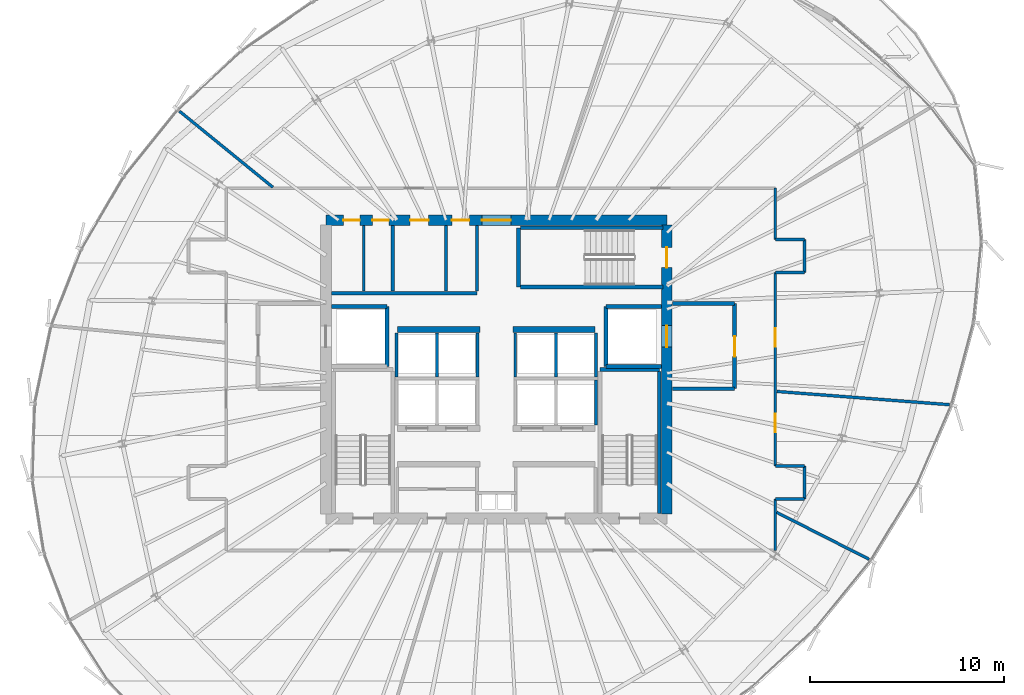
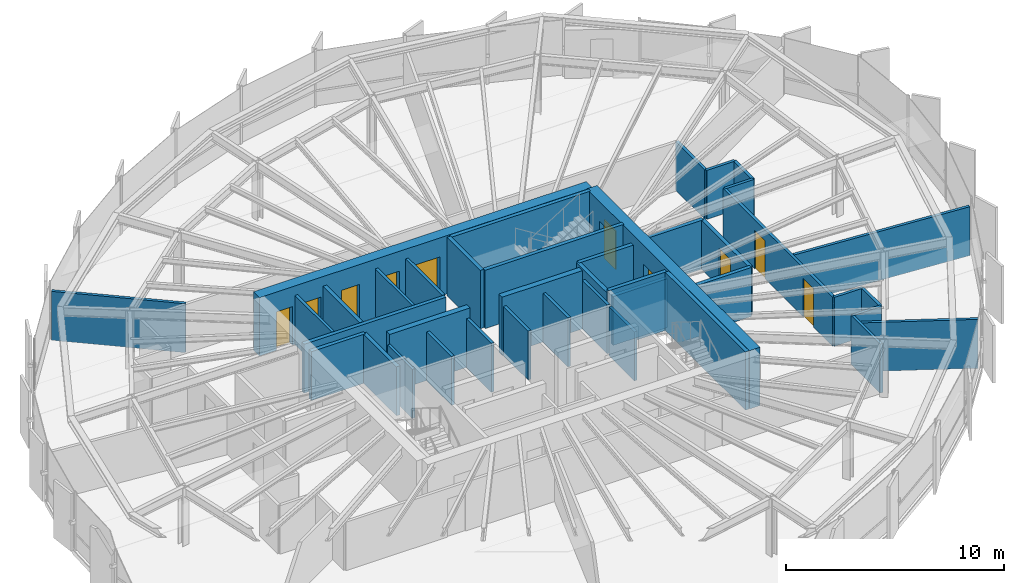
# One storey, part 30 of 34: 41 walls, 10 doors, 10 openings.
"""IFC4 building model written with IfcOpenShell, lengths in metres."""

from ifc_helpers import new_model, si_unit, direction, frame, frame_2d, origin, place, context, subcontext, project, spatial, rectangle, extrude, source, transform, mapped, material, layer, layer_set, type_object, element, fill, save


model = new_model("IFC4")

# Units and contexts
model_context = context("Model", 3, precision=1e-05, world=origin(), true_north=direction((0.0, 1.0)))
body_context = subcontext(model_context, "Body", "Model", "MODEL_VIEW")
ifc_project = project(units=[si_unit("LENGTHUNIT", "METRE"), si_unit("AREAUNIT", "SQUARE_METRE"), si_unit("VOLUMEUNIT", "CUBIC_METRE"), si_unit("PLANEANGLEUNIT", "RADIAN"), si_unit("MASSUNIT", "GRAM", prefix="KILO"), si_unit("THERMODYNAMICTEMPERATUREUNIT", "KELVIN")], contexts=[model_context])

# Site, building, storey
site_placement = place(None, origin())
site = spatial("IfcSite", under=ifc_project, at=site_placement, CompositionType="ELEMENT")
building_placement = place(site_placement, origin())
building = spatial("IfcBuilding", under=site, at=building_placement, Name="Kethvar Cultural Tower", CompositionType="ELEMENT")
storey_placement = place(building_placement, frame((0.0, 0.0, 190.39990234375)))
storey = spatial("IfcBuildingStorey", under=building, at=storey_placement, Name="L49", CompositionType="ELEMENT", Elevation=190.39990234375)

# Wall, openings, doors
ifc_material_1 = material(Name="Concrete C60/75", Category="concrete")
ifc_layer_1 = layer(ifc_material_1, 0.550048828125, Name="Concrete C60/75", Category="concrete")
ifc_layer_set_1 = layer_set([ifc_layer_1], Name="Concrete C60/75 (550 mm)")
wall_type_1 = type_object("IfcWallType", Name="WL-CORE-550", PredefinedType="SHEAR", material=ifc_layer_set_1)
wall_1_placement = place(storey_placement, frame((55.60009765625, 35.5, 0.0), z_axis=(0.0, 0.0, 1.0), x_axis=(-1.0, 0.0, 0.0)))
wall_1 = element("IfcWall", 1, at=wall_1_placement, inside=storey, type_object=wall_type_1, Name="L49 Core Shear Wall N", PredefinedType="SHEAR", context=body_context, shape_type="SweptSolid", body=[
    extrude(rectangle(XDim=17.60009765625, YDim=0.550048828125, at=frame_2d((8.800048828125, 0.0))), origin(), (0.0, 0.0, 1.0), 3.260009765625),
])
opening_1_placement = place(wall_1_placement, frame((8.050048828125, 0.0, 0.0)))
opening_1 = element("IfcOpeningElement", 2, at=opening_1_placement, cuts=wall_1, Name="Opening D-L49-LN", PredefinedType="OPENING", context=body_context, shape_type="SweptSolid", body=[
    extrude(rectangle(XDim=1.5, YDim=2.199951171875, at=frame_2d((0.75, 1.10009765625))), frame((0.0, 0.284912109375, 0.0), z_axis=(0.0, -1.0, 0.0), x_axis=(1.0, 0.0, 0.0)), (0.0, 0.0, 1.0), 0.570068359375),
])
opening_2_placement = place(wall_1_placement, frame((15.85009765625, 0.0, 0.0)))
opening_2 = element("IfcOpeningElement", 3, at=opening_2_placement, cuts=wall_1, Name="Opening D-L49-E1", PredefinedType="OPENING", context=body_context, shape_type="SweptSolid", body=[
    extrude(rectangle(XDim=0.85009765625, YDim=2.14990234375, at=frame_2d((0.425048828125, 1.074951171875))), frame((0.0, 0.284912109375, 0.0), z_axis=(0.0, -1.0, 0.0), x_axis=(1.0, 0.0, 0.0)), (0.0, 0.0, 1.0), 0.570068359375),
])
opening_3_placement = place(wall_1_placement, frame((14.35009765625, 0.0, 0.0)))
opening_3 = element("IfcOpeningElement", 4, at=opening_3_placement, cuts=wall_1, Name="Opening D-L49-E2", PredefinedType="OPENING", context=body_context, shape_type="SweptSolid", body=[
    extrude(rectangle(XDim=0.85009765625, YDim=2.14990234375, at=frame_2d((0.425048828125, 1.074951171875))), frame((0.0, 0.284912109375, 0.0), z_axis=(0.0, -1.0, 0.0), x_axis=(1.0, 0.0, 0.0)), (0.0, 0.0, 1.0), 0.570068359375),
])
opening_4_placement = place(wall_1_placement, frame((12.300048828125, 0.0, 0.0)))
opening_4 = element("IfcOpeningElement", 5, at=opening_4_placement, cuts=wall_1, Name="Opening D-L49-W1", PredefinedType="OPENING", context=body_context, shape_type="SweptSolid", body=[
    extrude(rectangle(XDim=0.949951171875, YDim=2.14990234375, at=frame_2d((0.47509765625, 1.074951171875))), frame((0.0, 0.284912109375, 0.0), z_axis=(0.0, -1.0, 0.0), x_axis=(1.0, 0.0, 0.0)), (0.0, 0.0, 1.0), 0.570068359375),
])
opening_5_placement = place(wall_1_placement, frame((10.199951171875, 0.0, 0.0)))
opening_5 = element("IfcOpeningElement", 6, at=opening_5_placement, cuts=wall_1, Name="Opening D-L49-W2", PredefinedType="OPENING", context=body_context, shape_type="SweptSolid", body=[
    extrude(rectangle(XDim=0.89990234375, YDim=2.14990234375, at=frame_2d((0.449951171875, 1.074951171875))), frame((0.0, 0.284912109375, 0.0), z_axis=(0.0, -1.0, 0.0), x_axis=(1.0, 0.0, 0.0)), (0.0, 0.0, 1.0), 0.570068359375),
])
ifc_material_2 = material(Name="Architectural Oak Timber", Category="wood")
door_type_1 = type_object("IfcDoorType", Name="DR-DBL-FD60-1500", OperationType="DOUBLE_DOOR_SINGLE_SWING", PredefinedType="DOOR", material=ifc_material_2)
shared_shape_1 = source(origin(), body_context, "Body", "SweptSolid", [
    extrude(rectangle(XDim=1.5, YDim=2.199951171875, at=frame_2d((0.75, 1.10009765625))), frame((0.0, 0.02490234375, 0.0), z_axis=(0.0, -1.0, 0.0), x_axis=(1.0, 0.0, 0.0)), (0.0, 0.0, 1.0), 0.050048828125),
])
door_1_placement = place(opening_1_placement, origin())
door_1 = element("IfcDoor", 7, at=door_1_placement, inside=storey, type_object=door_type_1, Name="L49 Lift Lobby Concourse Door", OperationType="DOUBLE_DOOR_SINGLE_SWING", OverallHeight=2.199951171875, OverallWidth=1.5, PredefinedType="DOOR", context=body_context, shape_type="MappedRepresentation", body=[
    mapped(shared_shape_1, transform((0.0, 0.0, 0.0), scale=1.0)),
])
fill(opening_1, door_1)
door_type_2 = type_object("IfcDoorType", Name="DR-FD30-950", OperationType="NOTDEFINED", PredefinedType="DOOR", material=ifc_material_2)
shared_shape_2 = source(origin(), body_context, "Body", "SweptSolid", [
    extrude(rectangle(XDim=0.949951171875, YDim=2.14990234375, at=frame_2d((0.47509765625, 1.074951171875))), frame((0.0, 0.02490234375, 0.0), z_axis=(0.0, -1.0, 0.0), x_axis=(1.0, 0.0, 0.0)), (0.0, 0.0, 1.0), 0.050048828125),
])
door_2_placement = place(opening_4_placement, origin())
door_2 = element("IfcDoor", 8, at=door_2_placement, inside=storey, type_object=door_type_2, Name="L49 Public Washroom Door", OperationType="SINGLE_SWING_LEFT", OverallHeight=2.14990234375, OverallWidth=0.949951171875, PredefinedType="DOOR", context=body_context, shape_type="MappedRepresentation", body=[
    mapped(shared_shape_2, transform((0.0, 0.0, 0.0), scale=1.0)),
])
fill(opening_4, door_2)
door_type_3 = type_object("IfcDoorType", Name="DR-FD30-900", OperationType="NOTDEFINED", PredefinedType="DOOR", material=ifc_material_2)
shared_shape_3 = source(origin(), body_context, "Body", "SweptSolid", [
    extrude(rectangle(XDim=0.89990234375, YDim=2.14990234375, at=frame_2d((0.449951171875, 1.074951171875))), frame((0.0, 0.02490234375, 0.0), z_axis=(0.0, -1.0, 0.0), x_axis=(1.0, 0.0, 0.0)), (0.0, 0.0, 1.0), 0.050048828125),
])
door_3_placement = place(opening_5_placement, origin())
door_3 = element("IfcDoor", 9, at=door_3_placement, inside=storey, type_object=door_type_3, Name="L49 Accessible Washroom Door", OperationType="SINGLE_SWING_RIGHT", OverallHeight=2.14990234375, OverallWidth=0.89990234375, PredefinedType="DOOR", context=body_context, shape_type="MappedRepresentation", body=[
    mapped(shared_shape_3, transform((0.0, 0.0, 0.0), scale=1.0)),
])
fill(opening_5, door_3)
ifc_material_3 = material(Name="Steel S355J2", Category="steel")
door_type_4 = type_object("IfcDoorType", Name="DR-FD30-850", OperationType="NOTDEFINED", PredefinedType="DOOR", material=ifc_material_3)
shared_shape_4 = source(origin(), body_context, "Body", "SweptSolid", [
    extrude(rectangle(XDim=0.85009765625, YDim=2.14990234375, at=frame_2d((0.425048828125, 1.074951171875))), frame((0.0, 0.02490234375, 0.0), z_axis=(0.0, -1.0, 0.0), x_axis=(1.0, 0.0, 0.0)), (0.0, 0.0, 1.0), 0.050048828125),
])
door_4_placement = place(opening_2_placement, origin())
door_4 = element("IfcDoor", 10, at=door_4_placement, inside=storey, type_object=door_type_4, Name="L49 Electrical Riser Door", OperationType="SINGLE_SWING_LEFT", OverallHeight=2.14990234375, OverallWidth=0.85009765625, PredefinedType="DOOR", context=body_context, shape_type="MappedRepresentation", body=[
    mapped(shared_shape_4, transform((0.0, 0.0, 0.0), scale=1.0)),
])
fill(opening_2, door_4)
door_5_placement = place(opening_3_placement, origin())
door_5 = element("IfcDoor", 11, at=door_5_placement, inside=storey, type_object=door_type_4, Name="L49 Chilled Water Riser Door", OperationType="SINGLE_SWING_RIGHT", OverallHeight=2.14990234375, OverallWidth=0.85009765625, PredefinedType="DOOR", context=body_context, shape_type="MappedRepresentation", body=[
    mapped(shared_shape_4, transform((0.0, 0.0, 0.0), scale=1.0)),
])
fill(opening_3, door_5)

wall_2_placement = place(storey_placement, frame((55.60009765625, 20.340087890625, 0.0), z_axis=(0.0, 0.0, 1.0), x_axis=(0.0, 1.0, 0.0)))
wall_2 = element("IfcWall", 12, at=wall_2_placement, inside=storey, type_object=wall_type_1, Name="L49 Core Shear Wall E", PredefinedType="SHEAR", context=body_context, shape_type="SweptSolid", body=[
    extrude(rectangle(XDim=14.919921875, YDim=0.550048828125, at=frame_2d((7.4599609375, 0.0))), origin(), (0.0, 0.0, 1.0), 3.260009765625),
])
opening_6_placement = place(wall_2_placement, frame((12.7099609375, 0.0, 0.0)))
opening_6 = element("IfcOpeningElement", 13, at=opening_6_placement, cuts=wall_2, Name="Opening D-L49-S3", PredefinedType="OPENING", context=body_context, shape_type="SweptSolid", body=[
    extrude(rectangle(XDim=1.050048828125, YDim=2.14990234375, at=frame_2d((0.52490234375, 1.074951171875))), frame((0.0, 0.284912109375, 0.0), z_axis=(0.0, -1.0, 0.0), x_axis=(1.0, 0.0, 0.0)), (0.0, 0.0, 1.0), 0.570068359375),
])
opening_7_placement = place(wall_2_placement, frame((8.610107421875, 0.0, 0.0)))
opening_7 = element("IfcOpeningElement", 14, at=opening_7_placement, cuts=wall_2, Name="Opening LD-2", PredefinedType="OPENING", context=body_context, shape_type="SweptSolid", body=[
    extrude(rectangle(XDim=1.10009765625, YDim=2.199951171875, at=frame_2d((0.550048828125, 1.10009765625))), frame((0.0, 0.284912109375, 0.0), z_axis=(0.0, -1.0, 0.0), x_axis=(1.0, 0.0, 0.0)), (0.0, 0.0, 1.0), 0.570068359375),
])
door_type_5 = type_object("IfcDoorType", Name="DR-FD60-1050", OperationType="NOTDEFINED", PredefinedType="DOOR", material=ifc_material_3)
shared_shape_5 = source(origin(), body_context, "Body", "SweptSolid", [
    extrude(rectangle(XDim=1.050048828125, YDim=2.14990234375, at=frame_2d((0.52490234375, 1.074951171875))), frame((0.0, 0.02490234375, 0.0), z_axis=(0.0, -1.0, 0.0), x_axis=(1.0, 0.0, 0.0)), (0.0, 0.0, 1.0), 0.050048828125),
])
door_6_placement = place(opening_6_placement, origin())
door_6 = element("IfcDoor", 15, at=door_6_placement, inside=storey, type_object=door_type_5, Name="L49 Exit Stair 3 Door", OperationType="SINGLE_SWING_LEFT", OverallHeight=2.14990234375, OverallWidth=1.050048828125, PredefinedType="DOOR", context=body_context, shape_type="MappedRepresentation", body=[
    mapped(shared_shape_5, transform((0.0, 0.0, 0.0), scale=1.0)),
])
fill(opening_6, door_6)
door_type_6 = type_object("IfcDoorType", Name="DR-LIFT-SLIDE-1100", OperationType="NOTDEFINED", PredefinedType="DOOR", material=ifc_material_3)
shared_shape_6 = source(origin(), body_context, "Body", "SweptSolid", [
    extrude(rectangle(XDim=1.10009765625, YDim=2.199951171875, at=frame_2d((0.550048828125, 1.10009765625))), frame((0.0, 0.02490234375, 0.0), z_axis=(0.0, -1.0, 0.0), x_axis=(1.0, 0.0, 0.0)), (0.0, 0.0, 1.0), 0.050048828125),
])
door_7_placement = place(opening_7_placement, origin())
door_7 = element("IfcDoor", 16, at=door_7_placement, inside=storey, type_object=door_type_6, Name="L49 Firefighting Lift Landing Door FFL-02", OperationType="SLIDING_TO_RIGHT", OverallHeight=2.199951171875, OverallWidth=1.10009765625, PredefinedType="DOOR", context=body_context, shape_type="MappedRepresentation", body=[
    mapped(shared_shape_6, transform((0.0, 0.0, 0.0), scale=1.0)),
])
fill(opening_7, door_7)

# Walls
ifc_material_4 = material(Name="Gypsum Fireboard Partition")
ifc_layer_2 = layer(ifc_material_4, 0.14990234375, Name="Gypsum Fireboard Partition")
ifc_layer_set_2 = layer_set([ifc_layer_2], Name="Gypsum Fireboard Partition (150 mm)")
wall_type_2 = type_object("IfcWallType", Name="WL-FIRE-150", PredefinedType="PARTITIONING", material=ifc_layer_set_2)
wall_3_placement = place(storey_placement, frame((51.949951171875, 24.919921875, 0.0), z_axis=(0.0, 0.0, 1.0), x_axis=(0.0, 1.0, 0.0)))
element("IfcWall", 17, at=wall_3_placement, inside=storey, type_object=wall_type_2, Name="L49 Mid-Rise Lift Shaft Outer Wall E", PredefinedType="PARTITIONING", context=body_context, shape_type="SweptSolid", body=[
    extrude(rectangle(XDim=2.320068359375, YDim=0.14990234375, at=frame_2d((1.16015625, 0.0))), origin(), (0.0, 0.0, 1.0), 2.735107421875),
])
for number, where, z_axis, x_axis, name in (
    (18, (41.64990234375, 27.409912109375, 0.0), (0.0, 0.0, 1.0), (0.0, 1.0, 0.0), "L49 High-Rise Lift Shaft Outer Wall W"),
    (19, (43.72509765625, 27.409912109375, 0.0), (0.0, 0.0, 1.0), (0.0, 1.0, 0.0), "L49 High-Rise Lift Shaft Divider W"),
    (20, (45.824951171875, 27.409912109375, 0.0), (0.0, 0.0, 1.0), (0.0, 1.0, 0.0), "L49 High-Rise Lift Shaft Concourse Wall W"),
    (21, (47.77490234375, 27.409912109375, 0.0), (0.0, 0.0, 1.0), (0.0, 1.0, 0.0), "L49 High-Rise Lift Shaft Concourse Wall E"),
    (22, (49.875, 27.409912109375, 0.0), (0.0, 0.0, 1.0), (0.0, 1.0, 0.0), "L49 High-Rise Lift Shaft Divider E"),
    (23, (51.949951171875, 27.409912109375, 0.0), (0.0, 0.0, 1.0), (0.0, 1.0, 0.0), "L49 High-Rise Lift Shaft Outer Wall E"),
):
    element("IfcWall", number, at=place(storey_placement, frame(where, z_axis=z_axis, x_axis=x_axis)), inside=storey, type_object=wall_type_2, Name=name, PredefinedType="PARTITIONING", context=body_context, shape_type="SweptSolid", body=[
        extrude(rectangle(XDim=2.27001953125, YDim=0.14990234375, at=frame_2d((1.135009765625, 0.0))), origin(), (0.0, 0.0, 1.0), 2.735107421875),
    ])
for number, where, z_axis, x_axis, name in (
    (24, (45.800048828125, 31.85009765625, 0.0), (0.0, 0.0, 1.0), (0.0, 1.0, 0.0), "L49 Sanitary Spine Wall"),
    (25, (39.949951171875, 31.85009765625, 0.0), (0.0, 0.0, 1.0), (0.0, 1.0, 0.0), "L49 NW Riser Divider"),
):
    element("IfcWall", number, at=place(storey_placement, frame(where, z_axis=z_axis, x_axis=x_axis)), inside=storey, type_object=wall_type_2, Name=name, PredefinedType="PARTITIONING", context=body_context, shape_type="SweptSolid", body=[
        extrude(rectangle(XDim=3.364990234375, YDim=0.14990234375, at=frame_2d((1.6826171875, 0.0))), origin(), (0.0, 0.0, 1.0), 2.735107421875),
    ])
wall_4_placement = place(storey_placement, frame((61.199951171875, 18.449951171875, 0.0), z_axis=(0.0, 0.0, 1.0), x_axis=(0.0, 1.0, 0.0)))
element("IfcWall", 26, at=wall_4_placement, inside=storey, type_object=wall_type_2, Name="L49 Corridor Rated Wall E1", PredefinedType="PARTITIONING", context=body_context, shape_type="SweptSolid", body=[
    extrude(rectangle(XDim=2.650146484375, YDim=0.14990234375, at=frame_2d((1.3251953125, 0.0))), origin(), (0.0, 0.0, 1.0), 2.735107421875),
])
wall_5_placement = place(storey_placement, frame((61.199951171875, 21.10009765625, 0.0), z_axis=(0.0, 0.0, 1.0), x_axis=(1.0, 0.0, 0.0)))
element("IfcWall", 27, at=wall_5_placement, inside=storey, type_object=wall_type_2, Name="L49 Corridor Rated Wall ESB", PredefinedType="PARTITIONING", context=body_context, shape_type="SweptSolid", body=[
    extrude(rectangle(XDim=1.5, YDim=0.14990234375, at=frame_2d((0.75, 0.0))), origin(), (0.0, 0.0, 1.0), 2.735107421875),
])
wall_6_placement = place(storey_placement, frame((62.699951171875, 21.10009765625, 0.0), z_axis=(0.0, 0.0, 1.0), x_axis=(0.0, 1.0, 0.0)))
element("IfcWall", 28, at=wall_6_placement, inside=storey, type_object=wall_type_2, Name="L49 Corridor Rated Wall ES", PredefinedType="PARTITIONING", context=body_context, shape_type="SweptSolid", body=[
    extrude(rectangle(XDim=1.699951171875, YDim=0.14990234375, at=frame_2d((0.85009765625, 0.0))), origin(), (0.0, 0.0, 1.0), 2.735107421875),
])
wall_7_placement = place(storey_placement, frame((62.699951171875, 22.800048828125, 0.0), z_axis=(0.0, 0.0, 1.0), x_axis=(-1.0, 0.0, 0.0)))
element("IfcWall", 29, at=wall_7_placement, inside=storey, type_object=wall_type_2, Name="L49 Corridor Rated Wall EST", PredefinedType="PARTITIONING", context=body_context, shape_type="SweptSolid", body=[
    extrude(rectangle(XDim=1.5, YDim=0.14990234375, at=frame_2d((0.75, 0.0))), origin(), (0.0, 0.0, 1.0), 2.735107421875),
])

# Wall, openings, doors
wall_8_placement = place(storey_placement, frame((61.199951171875, 22.800048828125, 0.0), z_axis=(0.0, 0.0, 1.0), x_axis=(0.0, 1.0, 0.0)))
wall_8 = element("IfcWall", 30, at=wall_8_placement, inside=storey, type_object=wall_type_2, Name="L49 Corridor Rated Wall EM", PredefinedType="PARTITIONING", context=body_context, shape_type="SweptSolid", body=[
    extrude(rectangle(XDim=10.0, YDim=0.14990234375, at=frame_2d((5.0, 0.0))), origin(), (0.0, 0.0, 1.0), 2.735107421875),
])
opening_8_placement = place(wall_8_placement, frame((1.746826171875, 0.0, 0.0)))
opening_8 = element("IfcOpeningElement", 31, at=opening_8_placement, cuts=wall_8, Name="Opening D-L49-03", PredefinedType="OPENING", context=body_context, shape_type="SweptSolid", body=[
    extrude(rectangle(XDim=0.949951171875, YDim=2.14990234375, at=frame_2d((0.47509765625, 1.074951171875))), frame((0.0, 0.0849609375, 0.0), z_axis=(0.0, -1.0, 0.0), x_axis=(1.0, 0.0, 0.0)), (0.0, 0.0, 1.0), 0.169921875),
])
opening_9_placement = place(wall_8_placement, frame((6.16650390625, 0.0, 0.0)))
opening_9 = element("IfcOpeningElement", 32, at=opening_9_placement, cuts=wall_8, Name="Opening D-L49-04", PredefinedType="OPENING", context=body_context, shape_type="SweptSolid", body=[
    extrude(rectangle(XDim=0.949951171875, YDim=2.14990234375, at=frame_2d((0.47509765625, 1.074951171875))), frame((0.0, 0.0849609375, 0.0), z_axis=(0.0, -1.0, 0.0), x_axis=(1.0, 0.0, 0.0)), (0.0, 0.0, 1.0), 0.169921875),
])
door_8_placement = place(opening_8_placement, origin())
door_8 = element("IfcDoor", 33, at=door_8_placement, inside=storey, type_object=door_type_2, Name="L49 Decorative Arts Craft Workshop 03 Door", OperationType="SINGLE_SWING_RIGHT", OverallHeight=2.14990234375, OverallWidth=0.949951171875, PredefinedType="DOOR", context=body_context, shape_type="MappedRepresentation", body=[
    mapped(shared_shape_2, transform((0.0, 0.0, 0.0), scale=1.0)),
])
fill(opening_8, door_8)
door_9_placement = place(opening_9_placement, origin())
door_9 = element("IfcDoor", 34, at=door_9_placement, inside=storey, type_object=door_type_2, Name="L49 Curatorial Conference Room 04 Door", OperationType="SINGLE_SWING_LEFT", OverallHeight=2.14990234375, OverallWidth=0.949951171875, PredefinedType="DOOR", context=body_context, shape_type="MappedRepresentation", body=[
    mapped(shared_shape_2, transform((0.0, 0.0, 0.0), scale=1.0)),
])
fill(opening_9, door_9)

# Walls
wall_9_placement = place(storey_placement, frame((61.199951171875, 32.800048828125, 0.0), z_axis=(0.0, 0.0, 1.0), x_axis=(1.0, 0.0, 0.0)))
element("IfcWall", 35, at=wall_9_placement, inside=storey, type_object=wall_type_2, Name="L49 Corridor Rated Wall ENB", PredefinedType="PARTITIONING", context=body_context, shape_type="SweptSolid", body=[
    extrude(rectangle(XDim=1.5, YDim=0.14990234375, at=frame_2d((0.75, 0.0))), origin(), (0.0, 0.0, 1.0), 2.735107421875),
])
wall_10_placement = place(storey_placement, frame((62.699951171875, 32.800048828125, 0.0), z_axis=(0.0, 0.0, 1.0), x_axis=(0.0, 1.0, 0.0)))
element("IfcWall", 36, at=wall_10_placement, inside=storey, type_object=wall_type_2, Name="L49 Corridor Rated Wall EN", PredefinedType="PARTITIONING", context=body_context, shape_type="SweptSolid", body=[
    extrude(rectangle(XDim=1.699951171875, YDim=0.14990234375, at=frame_2d((0.85009765625, 0.0))), origin(), (0.0, 0.0, 1.0), 2.735107421875),
])
wall_11_placement = place(storey_placement, frame((62.699951171875, 34.5, 0.0), z_axis=(0.0, 0.0, 1.0), x_axis=(-1.0, 0.0, 0.0)))
element("IfcWall", 37, at=wall_11_placement, inside=storey, type_object=wall_type_2, Name="L49 Corridor Rated Wall ENT", PredefinedType="PARTITIONING", context=body_context, shape_type="SweptSolid", body=[
    extrude(rectangle(XDim=1.5, YDim=0.14990234375, at=frame_2d((0.75, 0.0))), origin(), (0.0, 0.0, 1.0), 2.735107421875),
])
wall_12_placement = place(storey_placement, frame((61.199951171875, 34.5, 0.0), z_axis=(0.0, 0.0, 1.0), x_axis=(0.0, 1.0, 0.0)))
element("IfcWall", 38, at=wall_12_placement, inside=storey, type_object=wall_type_2, Name="L49 Corridor Rated Wall E2", PredefinedType="PARTITIONING", context=body_context, shape_type="SweptSolid", body=[
    extrude(rectangle(XDim=2.64990234375, YDim=0.14990234375, at=frame_2d((1.324951171875, 0.0))), origin(), (0.0, 0.0, 1.0), 2.735107421875),
])
ifc_material_5 = material(Name="Concrete C40/50", Category="concrete")
ifc_layer_3 = layer(ifc_material_5, 0.199951171875, Name="Concrete C40/50", Category="concrete")
ifc_layer_set_3 = layer_set([ifc_layer_3], Name="Concrete C40/50 (200 mm)")
wall_type_3 = type_object("IfcWallType", Name="WL-FIRE-200", PredefinedType="PARTITIONING", material=ifc_layer_set_3)
wall_13_placement = place(storey_placement, frame((41.14990234375, 27.949951171875, 0.0), z_axis=(0.0, 0.0, 1.0), x_axis=(0.0, 1.0, 0.0)))
element("IfcWall", 39, at=wall_13_placement, inside=storey, type_object=wall_type_3, Name="L49 FFL-01 Shaft Inner Wall", PredefinedType="PARTITIONING", context=body_context, shape_type="SweptSolid", body=[
    extrude(rectangle(XDim=3.10009765625, YDim=0.199951171875, at=frame_2d((1.550048828125, 0.0))), origin(), (0.0, 0.0, 1.0), 2.735107421875),
])
wall_14_placement = place(storey_placement, frame((38.284912109375, 31.050048828125, 0.0), z_axis=(0.0, 0.0, 1.0), x_axis=(1.0, 0.0, 0.0)))
element("IfcWall", 40, at=wall_14_placement, inside=storey, type_object=wall_type_3, Name="L49 FFL-01 Shaft North Wall", PredefinedType="PARTITIONING", context=body_context, shape_type="SweptSolid", body=[
    extrude(rectangle(XDim=2.864990234375, YDim=0.199951171875, at=frame_2d((1.4326171875, 0.0))), origin(), (0.0, 0.0, 1.0), 2.735107421875),
])
wall_15_placement = place(storey_placement, frame((52.449951171875, 27.949951171875, 0.0), z_axis=(0.0, 0.0, 1.0), x_axis=(0.0, 1.0, 0.0)))
element("IfcWall", 41, at=wall_15_placement, inside=storey, type_object=wall_type_3, Name="L49 FFL-02 Shaft Inner Wall", PredefinedType="PARTITIONING", context=body_context, shape_type="SweptSolid", body=[
    extrude(rectangle(XDim=3.10009765625, YDim=0.199951171875, at=frame_2d((1.550048828125, 0.0))), origin(), (0.0, 0.0, 1.0), 2.735107421875),
])
for number, where, z_axis, x_axis, name in (
    (42, (52.449951171875, 27.949951171875, 0.0), (0.0, 0.0, 1.0), (1.0, 0.0, 0.0), "L49 FFL-02 Shaft South Wall"),
    (43, (52.449951171875, 31.050048828125, 0.0), (0.0, 0.0, 1.0), (1.0, 0.0, 0.0), "L49 FFL-02 Shaft North Wall"),
):
    element("IfcWall", number, at=place(storey_placement, frame(where, z_axis=z_axis, x_axis=x_axis)), inside=storey, type_object=wall_type_3, Name=name, PredefinedType="PARTITIONING", context=body_context, shape_type="SweptSolid", body=[
        extrude(rectangle(XDim=2.864990234375, YDim=0.199951171875, at=frame_2d((1.4326171875, 0.0))), origin(), (0.0, 0.0, 1.0), 2.735107421875),
    ])

# Wall, opening, door
wall_16_placement = place(storey_placement, frame((59.10009765625, 26.800048828125, 0.0), z_axis=(0.0, 0.0, 1.0), x_axis=(0.0, 1.0, 0.0)))
wall_16 = element("IfcWall", 44, at=wall_16_placement, inside=storey, type_object=wall_type_3, Name="L49 Firefighting Lobby 2 Wall", PredefinedType="PARTITIONING", context=body_context, shape_type="SweptSolid", body=[
    extrude(rectangle(XDim=4.39990234375, YDim=0.199951171875, at=frame_2d((2.199951171875, 0.0))), origin(), (0.0, 0.0, 1.0), 2.735107421875),
])
opening_10_placement = place(wall_16_placement, frame((1.64990234375, 0.0, 0.0)))
opening_10 = element("IfcOpeningElement", 45, at=opening_10_placement, cuts=wall_16, Name="Opening D-L49-F2", PredefinedType="OPENING", context=body_context, shape_type="SweptSolid", body=[
    extrude(rectangle(XDim=1.050048828125, YDim=2.14990234375, at=frame_2d((0.52490234375, 1.074951171875))), frame((0.0, 0.10986328125, 0.0), z_axis=(0.0, -1.0, 0.0), x_axis=(1.0, 0.0, 0.0)), (0.0, 0.0, 1.0), 0.219970703125),
])
door_10_placement = place(opening_10_placement, origin())
door_10 = element("IfcDoor", 46, at=door_10_placement, inside=storey, type_object=door_type_5, Name="L49 Firefighting Lobby 2 Fire Door", OperationType="SINGLE_SWING_LEFT", OverallHeight=2.14990234375, OverallWidth=1.050048828125, PredefinedType="DOOR", context=body_context, shape_type="MappedRepresentation", body=[
    mapped(shared_shape_5, transform((0.0, 0.0, 0.0), scale=1.0)),
])
fill(opening_10, door_10)

# Walls
for number, where, z_axis, x_axis, name in (
    (47, (55.885009765625, 26.800048828125, 0.0), (0.0, 0.0, 1.0), (1.0, 0.0, 0.0), "L49 FF Lobby 2 South Wall"),
    (48, (55.885009765625, 31.199951171875, 0.0), (0.0, 0.0, 1.0), (1.0, 0.0, 0.0), "L49 FF Lobby 2 North Wall"),
):
    element("IfcWall", number, at=place(storey_placement, frame(where, z_axis=z_axis, x_axis=x_axis)), inside=storey, type_object=wall_type_3, Name=name, PredefinedType="PARTITIONING", context=body_context, shape_type="SweptSolid", body=[
        extrude(rectangle(XDim=3.215087890625, YDim=0.199951171875, at=frame_2d((1.607421875, 0.0))), origin(), (0.0, 0.0, 1.0), 2.735107421875),
    ])
wall_17_placement = place(storey_placement, frame((41.449951171875, 31.85009765625, 0.0), z_axis=(0.0, 0.0, 1.0), x_axis=(0.0, 1.0, 0.0)))
element("IfcWall", 49, at=wall_17_placement, inside=storey, type_object=wall_type_3, Name="L49 NW Core Pocket Wall", PredefinedType="PARTITIONING", context=body_context, shape_type="SweptSolid", body=[
    extrude(rectangle(XDim=3.364990234375, YDim=0.199951171875, at=frame_2d((1.6826171875, 0.0))), origin(), (0.0, 0.0, 1.0), 2.735107421875),
])
wall_18_placement = place(storey_placement, frame((38.284912109375, 31.72998046875, 0.0), z_axis=(0.0, 0.0, 1.0), x_axis=(1.0, 0.0, 0.0)))
element("IfcWall", 50, at=wall_18_placement, inside=storey, type_object=wall_type_3, Name="L49 North Core Sanitary South Wall", PredefinedType="PARTITIONING", context=body_context, shape_type="SweptSolid", body=[
    extrude(rectangle(XDim=7.51513671875, YDim=0.199951171875, at=frame_2d((3.757568359375, 0.0))), origin(), (0.0, 0.0, 1.0), 2.735107421875),
])
ifc_material_6 = material(Name="Gypsum Acoustic Partition")
ifc_layer_4 = layer(ifc_material_6, 0.14990234375, Name="Gypsum Acoustic Partition")
ifc_layer_set_4 = layer_set([ifc_layer_4], Name="Gypsum Acoustic Partition (150 mm)")
wall_type_4 = type_object("IfcWallType", Name="WL-PART-150", PredefinedType="PARTITIONING", material=ifc_layer_set_4)
wall_19_placement = place(storey_placement, frame((61.271240234375, 20.416748046875, 0.0), z_axis=(0.0, 0.0, 1.0), x_axis=(0.891443209294, -0.453132436054, 0.0)))
element("IfcWall", 51, at=wall_19_placement, inside=storey, type_object=wall_type_4, Name="L49 Radial Partition Wall 03", PredefinedType="PARTITIONING", context=body_context, shape_type="SweptSolid", body=[
    extrude(rectangle(XDim=5.353271484375, YDim=0.14990234375, at=frame_2d((2.6767578125, 0.0))), origin(), (0.0, 0.0, 1.0), 2.735107421875),
])
wall_20_placement = place(storey_placement, frame((61.27978515625, 26.65771484375, 0.0), z_axis=(0.0, 0.0, 1.0), x_axis=(0.997071171595, -0.07647927023, 0.0)))
element("IfcWall", 52, at=wall_20_placement, inside=storey, type_object=wall_type_4, Name="L49 Radial Partition Wall 04", PredefinedType="PARTITIONING", context=body_context, shape_type="SweptSolid", body=[
    extrude(rectangle(XDim=8.938232421875, YDim=0.14990234375, at=frame_2d((4.46923828125, 0.0))), origin(), (0.0, 0.0, 1.0), 2.735107421875),
])
wall_21_placement = place(storey_placement, frame((35.2578125, 37.200439453125, 0.0), z_axis=(0.0, 0.0, 1.0), x_axis=(-0.775328994429, 0.631557559054, 0.0)))
element("IfcWall", 53, at=wall_21_placement, inside=storey, type_object=wall_type_4, Name="L49 Radial Partition Wall 07", PredefinedType="PARTITIONING", context=body_context, shape_type="SweptSolid", body=[
    extrude(rectangle(XDim=6.216796875, YDim=0.14990234375, at=frame_2d((3.1083984375, 0.0))), origin(), (0.0, 0.0, 1.0), 2.735107421875),
])
ifc_material_7 = material(Name="Moisture-Resistant Sanitary Chase Wall")
ifc_layer_5 = layer(ifc_material_7, 0.14990234375, Name="Moisture-Resistant Sanitary Chase Wall")
ifc_layer_set_5 = layer_set([ifc_layer_5], Name="Moisture-Resistant Sanitary Chase Wall (150 mm)")
wall_type_5 = type_object("IfcWallType", Name="WL-PLUMB-150", PredefinedType="PLUMBINGWALL", material=ifc_layer_set_5)
wall_22_placement = place(storey_placement, frame((44.199951171875, 31.85009765625, 0.0), z_axis=(0.0, 0.0, 1.0), x_axis=(0.0, 1.0, 0.0)))
element("IfcWall", 54, at=wall_22_placement, inside=storey, type_object=wall_type_5, Name="L49 Sanitary Plumbing Wall", PredefinedType="PLUMBINGWALL", context=body_context, shape_type="SweptSolid", body=[
    extrude(rectangle(XDim=3.364990234375, YDim=0.14990234375, at=frame_2d((1.6826171875, 0.0))), origin(), (0.0, 0.0, 1.0), 2.735107421875),
])
ifc_material_8 = material(Name="Concrete C50/60", Category="concrete")
ifc_layer_6 = layer(ifc_material_8, 0.300048828125, Name="Concrete C50/60", Category="concrete")
ifc_layer_set_6 = layer_set([ifc_layer_6], Name="Concrete C50/60 (300 mm)")
wall_type_6 = type_object("IfcWallType", Name="WL-SHAFT-300", PredefinedType="SHEAR", material=ifc_layer_set_6)
for number, where, z_axis, x_axis, name in (
    (55, (41.699951171875, 29.85009765625, 0.0), (0.0, 0.0, 1.0), (1.0, 0.0, 0.0), "L49 Core Lift Spine Wall MID3W"),
    (56, (47.64990234375, 29.85009765625, 0.0), (0.0, 0.0, 1.0), (1.0, 0.0, 0.0), "L49 Core Lift Spine Wall MID3E"),
):
    element("IfcWall", number, at=place(storey_placement, frame(where, z_axis=z_axis, x_axis=x_axis)), inside=storey, type_object=wall_type_6, Name=name, PredefinedType="SHEAR", context=body_context, shape_type="SweptSolid", body=[
        extrude(rectangle(XDim=4.25, YDim=0.300048828125, at=frame_2d((2.125, 0.0))), origin(), (0.0, 0.0, 1.0), 3.260009765625),
    ])
ifc_layer_7 = layer(ifc_material_8, 0.199951171875, Name="Concrete C50/60", Category="concrete")
ifc_layer_set_7 = layer_set([ifc_layer_7], Name="Concrete C50/60 (200 mm)")
wall_type_7 = type_object("IfcWallType", Name="WL-STSHAFT-200", PredefinedType="SHEAR", material=ifc_layer_set_7)
wall_23_placement = place(storey_placement, frame((52.14990234375, 27.800048828125, 0.0), z_axis=(0.0, 0.0, 1.0), x_axis=(1.0, 0.0, 0.0)))
element("IfcWall", 57, at=wall_23_placement, inside=storey, type_object=wall_type_7, Name="L49 ST-02 Stair Shaft Wall FAR", PredefinedType="SHEAR", context=body_context, shape_type="SweptSolid", body=[
    extrude(rectangle(XDim=3.06005859375, YDim=0.199951171875, at=frame_2d((1.530029296875, 0.0))), origin(), (0.0, 0.0, 1.0), 3.260009765625),
])
wall_24_placement = place(storey_placement, frame((55.2099609375, 27.699951171875, 0.0), z_axis=(0.0, 0.0, 1.0), x_axis=(0.0, -1.0, 0.0)))
element("IfcWall", 58, at=wall_24_placement, inside=storey, type_object=wall_type_7, Name="L49 ST-02 Stair Shaft Wall LEFT", PredefinedType="SHEAR", context=body_context, shape_type="SweptSolid", body=[
    extrude(rectangle(XDim=7.349853515625, YDim=0.199951171875, at=frame_2d((3.6748046875, 0.0))), origin(), (0.0, 0.0, 1.0), 3.260009765625),
])
wall_25_placement = place(storey_placement, frame((47.949951171875, 32.050048828125, 0.0), z_axis=(0.0, 0.0, 1.0), x_axis=(0.0, 1.0, 0.0)))
element("IfcWall", 59, at=wall_25_placement, inside=storey, type_object=wall_type_7, Name="L49 ST-03 Stair Shaft Wall FAR", PredefinedType="SHEAR", context=body_context, shape_type="SweptSolid", body=[
    extrude(rectangle(XDim=3.06005859375, YDim=0.199951171875, at=frame_2d((1.530029296875, 0.0))), origin(), (0.0, 0.0, 1.0), 3.260009765625),
])
for number, where, z_axis, x_axis, name in (
    (60, (48.050048828125, 35.110107421875, 0.0), (0.0, 0.0, 1.0), (1.0, 0.0, 0.0), "L49 ST-03 Stair Shaft Wall LEFT"),
    (61, (55.39990234375, 32.050048828125, 0.0), (0.0, 0.0, 1.0), (-1.0, 0.0, 0.0), "L49 ST-03 Stair Shaft Wall RIGHT"),
):
    element("IfcWall", number, at=place(storey_placement, frame(where, z_axis=z_axis, x_axis=x_axis)), inside=storey, type_object=wall_type_7, Name=name, PredefinedType="SHEAR", context=body_context, shape_type="SweptSolid", body=[
        extrude(rectangle(XDim=7.349853515625, YDim=0.199951171875, at=frame_2d((3.6748046875, 0.0))), origin(), (0.0, 0.0, 1.0), 3.260009765625),
    ])

save(model, "model.ifc")
